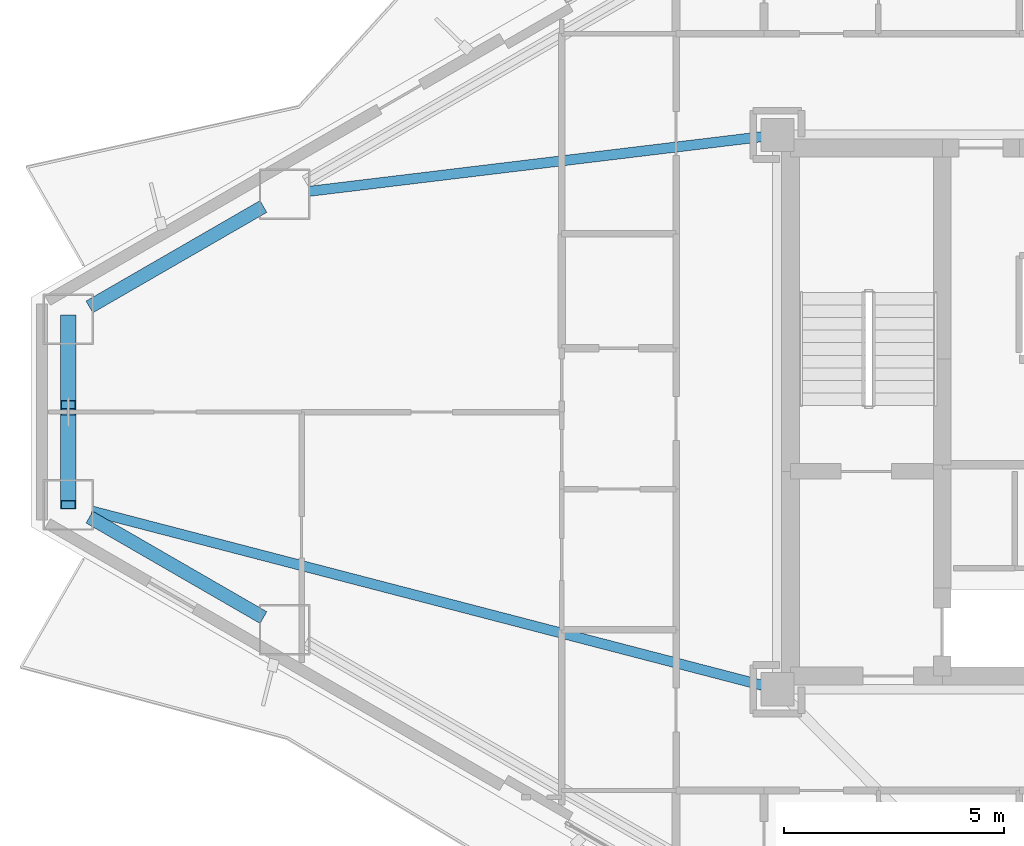
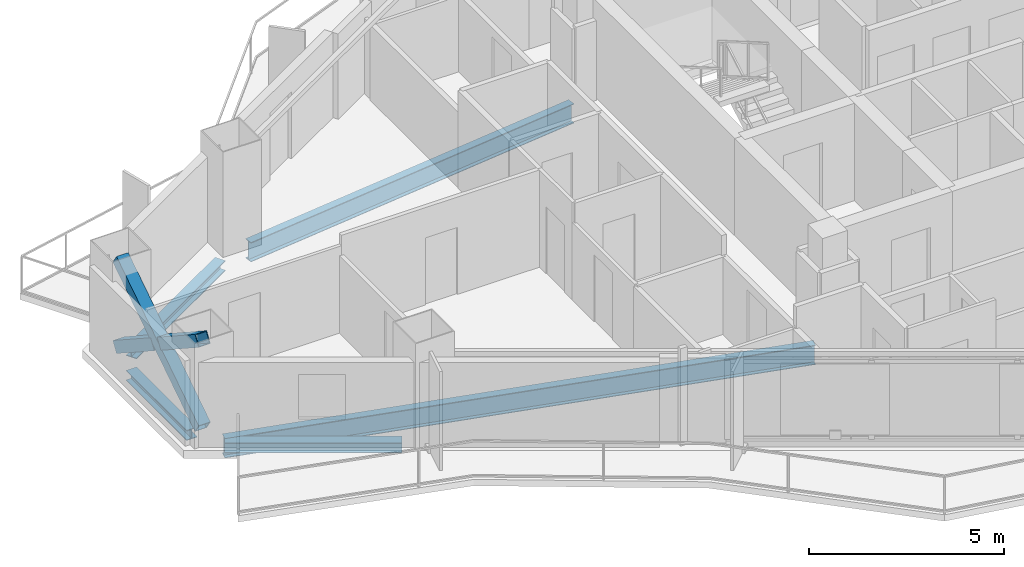
# One storey, part 5 of 22: 5 beams, 3 members.
"""IFC4 building model written with IfcOpenShell, lengths in metres."""

from ifc_helpers import new_model, si_unit, direction, frame, origin, origin_2d, place, context, subcontext, project, spatial, hollow_rectangle, i_section, extrude, material, material_profile, profile_set, type_object, element, save


model = new_model("IFC4")

# Units and contexts
model_context = context("Model", 3, precision=1e-05, world=origin(), true_north=direction((0.0, 1.0)))
body_context = subcontext(model_context, "Body", "Model", "MODEL_VIEW")
ifc_project = project(units=[si_unit("LENGTHUNIT", "METRE"), si_unit("AREAUNIT", "SQUARE_METRE"), si_unit("VOLUMEUNIT", "CUBIC_METRE"), si_unit("PLANEANGLEUNIT", "RADIAN"), si_unit("MASSUNIT", "GRAM", prefix="KILO")], contexts=[model_context])

# Site, building, storey
site_placement = place(None, origin())
site = spatial("IfcSite", under=ifc_project, at=site_placement, CompositionType="ELEMENT")
building_placement = place(site_placement, origin())
building = spatial("IfcBuilding", under=site, at=building_placement, Name="Mersakhor Tower and Convention Hall", CompositionType="ELEMENT")
storey_placement = place(building_placement, frame((0.0, 0.0, 99.89990234375)))
storey = spatial("IfcBuildingStorey", under=building, at=storey_placement, Name="L27", CompositionType="ELEMENT", Elevation=99.89990234375)

# Beams
ifc_material_1 = material(Name="Steel S355", Category="steel")
ifc_material_profile_1 = material_profile(ifc_material_1, i_section(OverallWidth=0.22900390625, OverallDepth=0.6123046875, WebThickness=0.011962890625, FlangeThickness=0.01953125, at=origin_2d()), Name="UB 610x229x125")
ifc_profile_set_1 = profile_set([ifc_material_profile_1], Name="Steel S355")
beam_type_1 = type_object("IfcBeamType", Name="BM-PR-610", PredefinedType="BEAM", material=ifc_profile_set_1)
beam_1_placement = place(storey_placement, frame((21.547607421875, 33.007568359375, -0.555908203125), z_axis=(-0.992798075666, -0.119799753563, 0.0), x_axis=(0.119799753563, -0.992798075666, 0.0)))
element("IfcBeam", 1, at=beam_1_placement, inside=storey, type_object=beam_type_1, Name="L27 Primary Floor Girder FG-1", PredefinedType="BEAM", context=body_context, shape_type="SweptSolid", body=[
    extrude(i_section(OverallWidth=0.22900390625, OverallDepth=0.6123046875, WebThickness=0.011962890625, FlangeThickness=0.01953125, at=origin_2d()), origin(), (0.0, 0.0, 1.0), 10.368896484375),
])
beam_2_placement = place(storey_placement, frame((21.556396484375, 20.539306640625, -0.555908203125), z_axis=(-0.967826964314, 0.251616706812, 0.0), x_axis=(-0.251616706812, -0.967826964314, 0.0)))
element("IfcBeam", 2, at=beam_2_placement, inside=storey, type_object=beam_type_1, Name="L27 Primary Floor Girder FG-6", PredefinedType="BEAM", context=body_context, shape_type="SweptSolid", body=[
    extrude(i_section(OverallWidth=0.22900390625, OverallDepth=0.6123046875, WebThickness=0.011962890625, FlangeThickness=0.01953125, at=origin_2d()), origin(), (0.0, 0.0, 1.0), 15.739013671875),
])
ifc_material_2 = material(Name="Steel S355", Category="steel")
ifc_material_profile_2 = material_profile(ifc_material_2, i_section(OverallWidth=0.30908203125, OverallDepth=0.320556640625, WebThickness=0.013916015625, FlangeThickness=0.021728515625, at=origin_2d()), Name="UC 305x305x137")
ifc_profile_set_2 = profile_set([ifc_material_profile_2], Name="Steel S355")
beam_type_2 = type_object("IfcBeamType", Name="BM-SPD-UC305", PredefinedType="SPANDREL", material=ifc_profile_set_2)
for number, where, z_axis, x_axis, name in (
    (3, (6.267333984375, 29.13818359375, -0.41015625), (0.866023543838, 0.500003221507, 0.0), (-0.500003221507, 0.866023543838, 0.0), "L27 Perimeter Spandrel Beam SPB-01"),
    (4, (10.221923828125, 22.07861328125, -0.41015625), (-0.866023543838, 0.500003221507, 0.0), (-0.500003221507, -0.866023543838, 0.0), "L27 Perimeter Spandrel Beam SPB-11"),
):
    element("IfcBeam", number, at=place(storey_placement, frame(where, z_axis=z_axis, x_axis=x_axis)), inside=storey, type_object=beam_type_2, Name=name, PredefinedType="SPANDREL", context=body_context, shape_type="SweptSolid", body=[
        extrude(i_section(OverallWidth=0.30908203125, OverallDepth=0.320556640625, WebThickness=0.013916015625, FlangeThickness=0.021728515625, at=origin_2d()), origin(), (0.0, 0.0, 1.0), 4.56640625),
    ])
beam_3_placement = place(storey_placement, frame((5.78662109375, 25.194091796875, -0.41015625), z_axis=(0.0, 1.0, 0.0), x_axis=(-1.0, 0.0, 0.0)))
element("IfcBeam", 5, at=beam_3_placement, inside=storey, type_object=beam_type_2, Name="L27 Perimeter Spandrel Beam SPB-12", PredefinedType="SPANDREL", context=body_context, shape_type="SweptSolid", body=[
    extrude(i_section(OverallWidth=0.30908203125, OverallDepth=0.320556640625, WebThickness=0.013916015625, FlangeThickness=0.021728515625, at=origin_2d()), origin(), (0.0, 0.0, 1.0), 3.11181640625),
])

# Members
ifc_material_3 = material(Name="Steel S460", Category="steel")
ifc_material_profile_3 = material_profile(ifc_material_3, hollow_rectangle(XDim=0.35009765625, YDim=0.35009765625, WallThickness=0.02001953125, at=origin_2d()), Name="SHS 350x350x20")
ifc_profile_set_3 = profile_set([ifc_material_profile_3], Name="Steel S460")
member_type = type_object("IfcMemberType", Name="MB-BRC-SHS350", PredefinedType="BRACE", material=ifc_profile_set_3)
member_1_placement = place(storey_placement, frame((5.78662109375, 24.63916015625, 0.150146484375), z_axis=(0.0, 0.837907380789, 0.54581244143), x_axis=(-1.0, 0.0, 0.0)))
element("IfcMember", 6, at=member_1_placement, inside=storey, type_object=member_type, Name="L27 Chamfer Braced Frame Diagonal CB-3A", PredefinedType="BRACE", context=body_context, shape_type="SweptSolid", body=[
    extrude(hollow_rectangle(XDim=0.35009765625, YDim=0.35009765625, WallThickness=0.02001953125, at=origin_2d()), origin(), (0.0, 0.0, 1.0), 5.038330078125),
])
member_2_placement = place(storey_placement, frame((5.78662109375, 28.86083984375, 0.150146484375), z_axis=(0.0, -0.837928690032, 0.545779727016), x_axis=(1.0, 0.0, 0.0)))
element("IfcMember", 7, at=member_2_placement, inside=storey, type_object=member_type, Name="L27 Chamfer Braced Frame Diagonal CB-3B Lower Half", PredefinedType="BRACE", context=body_context, shape_type="SweptSolid", body=[
    extrude(hollow_rectangle(XDim=0.35009765625, YDim=0.35009765625, WallThickness=0.02001953125, at=origin_2d()), origin(), (0.0, 0.0, 1.0), 2.31982421875),
])
member_3_placement = place(storey_placement, frame((5.78662109375, 26.5830078125, 1.6337890625), z_axis=(0.0, -0.83788056026, 0.54585361292), x_axis=(1.0, 0.0, 0.0)))
element("IfcMember", 8, at=member_3_placement, inside=storey, type_object=member_type, Name="L27 Chamfer Braced Frame Diagonal CB-3B Upper Half", PredefinedType="BRACE", context=body_context, shape_type="SweptSolid", body=[
    extrude(hollow_rectangle(XDim=0.35009765625, YDim=0.35009765625, WallThickness=0.02001953125, at=origin_2d()), origin(), (0.0, 0.0, 1.0), 2.320068359375),
])

save(model, "model.ifc")
